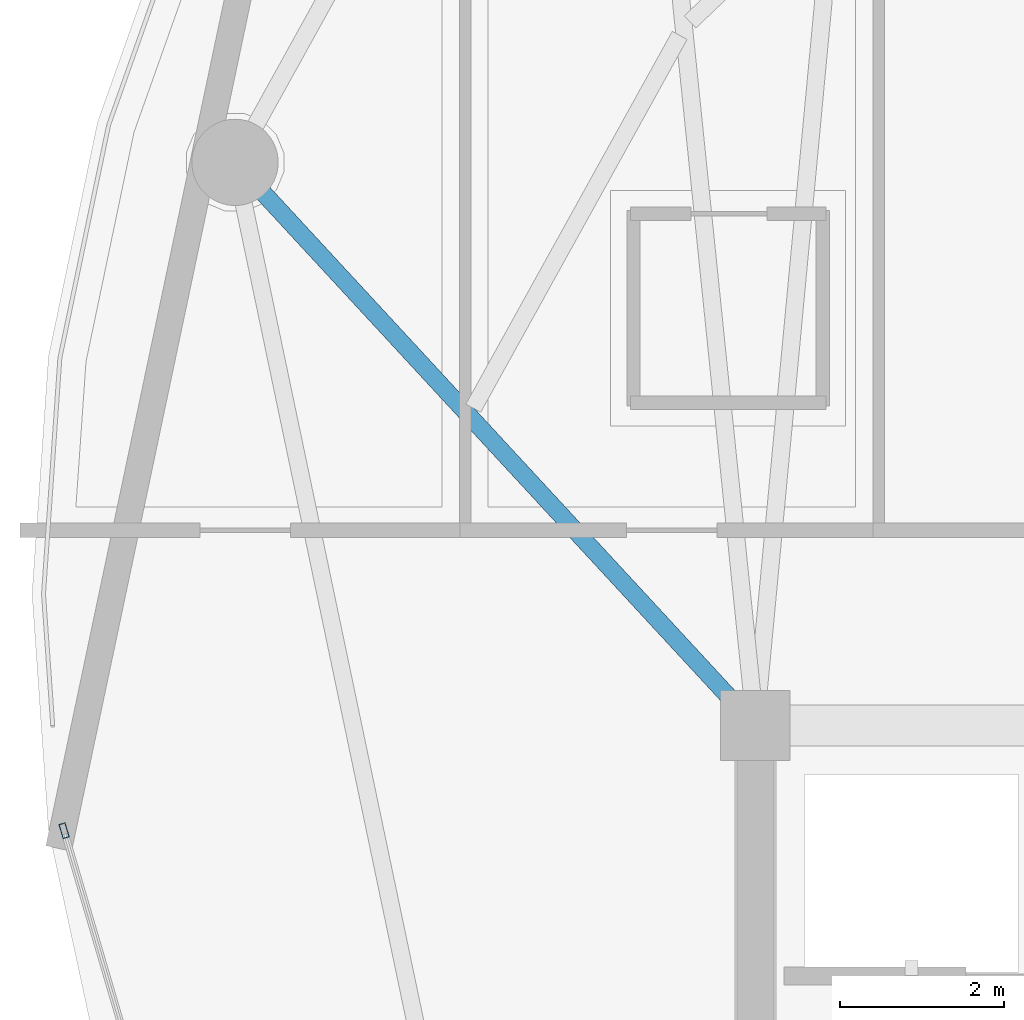
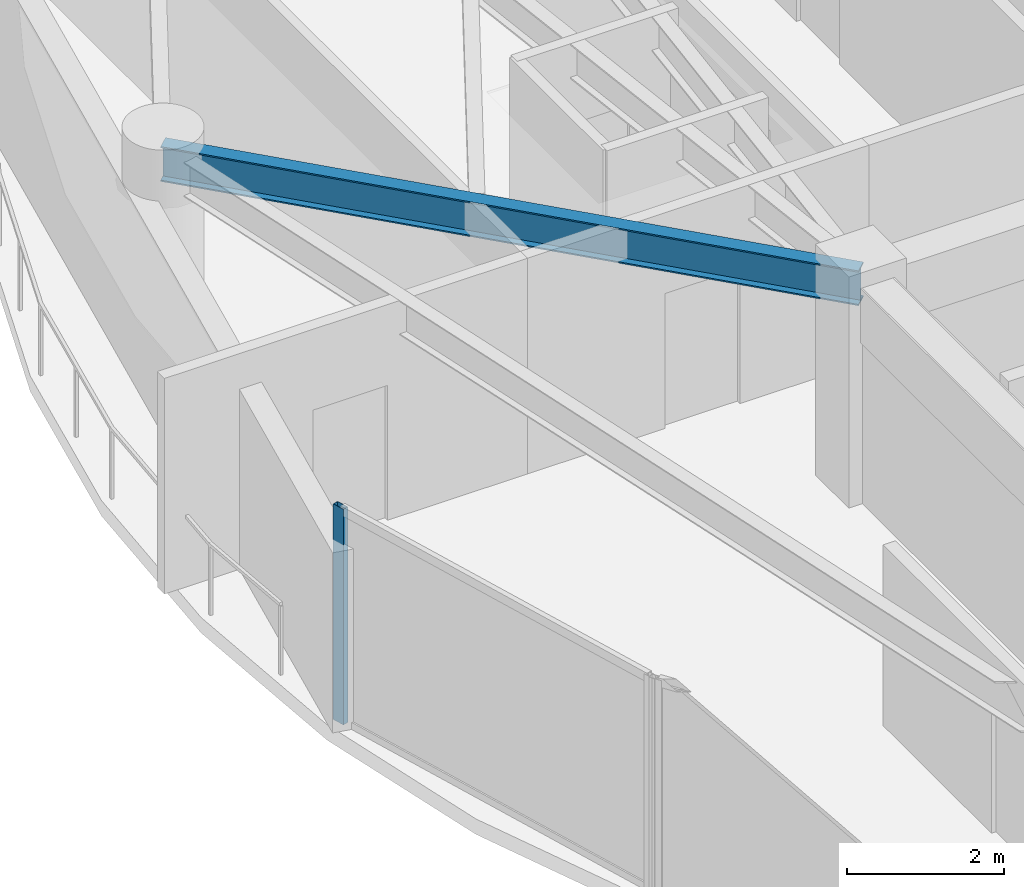
# One storey, part 7 of 29: 1 beam, 1 member, 1 element without a shape of its own.
"""IFC4 building model written with IfcOpenShell, lengths in metres."""

from ifc_helpers import new_model, si_unit, direction, frame, origin, origin_2d, place, context, subcontext, project, spatial, hollow_rectangle, i_section, extrude, material, layer, layer_set, material_profile, profile_set, type_object, element, aggregate, save


model = new_model("IFC4")

# Units and contexts
model_context = context("Model", 3, precision=1e-05, world=origin(), true_north=direction((0.0, 1.0)))
body_context = subcontext(model_context, "Body", "Model", "MODEL_VIEW")
ifc_project = project(units=[si_unit("LENGTHUNIT", "METRE"), si_unit("AREAUNIT", "SQUARE_METRE"), si_unit("VOLUMEUNIT", "CUBIC_METRE"), si_unit("PLANEANGLEUNIT", "RADIAN"), si_unit("MASSUNIT", "GRAM", prefix="KILO")], contexts=[model_context])

# Site, building, storey
site_placement = place(None, origin())
site = spatial("IfcSite", under=ifc_project, at=site_placement, CompositionType="ELEMENT")
building_placement = place(site_placement, origin())
building = spatial("IfcBuilding", under=site, at=building_placement, Name="Kazevale Care Tower and Concert Hall", CompositionType="ELEMENT")
storey_placement = place(building_placement, frame((0.0, 0.0, 213.60009765625)))
storey = spatial("IfcBuildingStorey", under=building, at=storey_placement, Name="L56", CompositionType="ELEMENT", Elevation=213.60009765625)

# Curtain wall, member
ifc_material_1 = material(Name="Aluminium 6063-T6 and Low-E Glass", Category="aluminium")
ifc_layer = layer(ifc_material_1, 0.179931640625)
ifc_layer_set = layer_set([ifc_layer], Name="Aluminium 6063-T6 and Low-E Glass")
curtain_wall_type = type_object("IfcCurtainWallType", Name="Waist & Upper Residential Curtain Wall CW-4", PredefinedType="NOTDEFINED", material=ifc_layer_set)
curtain_wall_placement = place(storey_placement, origin())
curtain_wall = element("IfcCurtainWall", 1, at=curtain_wall_placement, inside=storey, type_object=curtain_wall_type, Name="cw:L56:f12", PredefinedType="NOTDEFINED")
ifc_material_2 = material(Name="Aluminium 6063-T6", Category="aluminium")
ifc_material_profile_1 = material_profile(ifc_material_2, hollow_rectangle(XDim=0.080078125, YDim=0.179931640625, WallThickness=0.0048828125, at=origin_2d()), Name="ALU80x180x5")
ifc_profile_set_1 = profile_set([ifc_material_profile_1], Name="Aluminium 6063-T6")
member_type = type_object("IfcMemberType", Name="CW-4 Mullion ALU80x180x5", PredefinedType="MULLION", material=ifc_profile_set_1)
member_placement = place(storey_placement, frame((13.59033203125, 35.11865234375, 0.0), z_axis=(0.0, 0.0, 1.0), x_axis=(-0.959385539982, -0.282098184457, 0.0)))
member = element("IfcMember", 2, at=member_placement, type_object=member_type, Name="CW-4 mullion 2", PredefinedType="MULLION", context=body_context, shape_type="SweptSolid", body=[
    extrude(hollow_rectangle(XDim=0.080078125, YDim=0.179931640625, WallThickness=0.0048828125, at=origin_2d()), origin(), (0.0, 0.0, 1.0), 3.35986328125),
])
aggregate(curtain_wall, [member])

# Beam
ifc_material_3 = material(Name="Steel ASTM A572 Gr 50", Category="steel")
ifc_material_profile_2 = material_profile(ifc_material_3, i_section(OverallWidth=0.2119140625, OverallDepth=0.5439453125, WebThickness=0.01318359375, FlangeThickness=0.021240234375, at=origin_2d()), Name="W530x123")
ifc_profile_set_2 = profile_set([ifc_material_profile_2], Name="Steel ASTM A572 Gr 50")
beam_type = type_object("IfcBeamType", Name="Radial Floor Girder W530x123", PredefinedType="BEAM", material=ifc_profile_set_2)
beam_placement = place(storey_placement, frame((22.0, 36.39990234375, 3.087890625), z_axis=(-0.678680078581, 0.734434034435, 0.0), x_axis=(-0.734434034435, -0.678680078581, 0.0)))
element("IfcBeam", 3, at=beam_placement, inside=storey, type_object=beam_type, Name="beam:L56:rad:09", PredefinedType="BEAM", context=body_context, shape_type="SweptSolid", body=[
    extrude(i_section(OverallWidth=0.2119140625, OverallDepth=0.5439453125, WebThickness=0.01318359375, FlangeThickness=0.021240234375, at=origin_2d()), origin(), (0.0, 0.0, 1.0), 9.3271484375),
])

save(model, "model.ifc")
